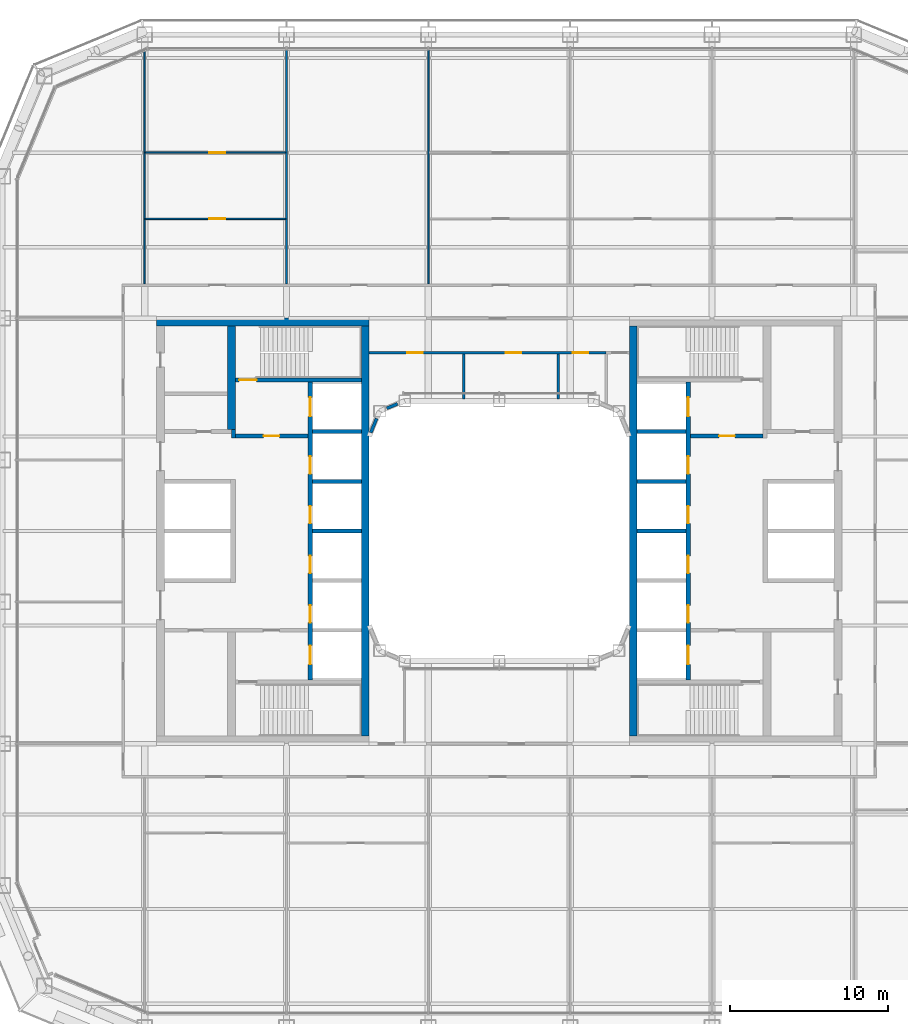
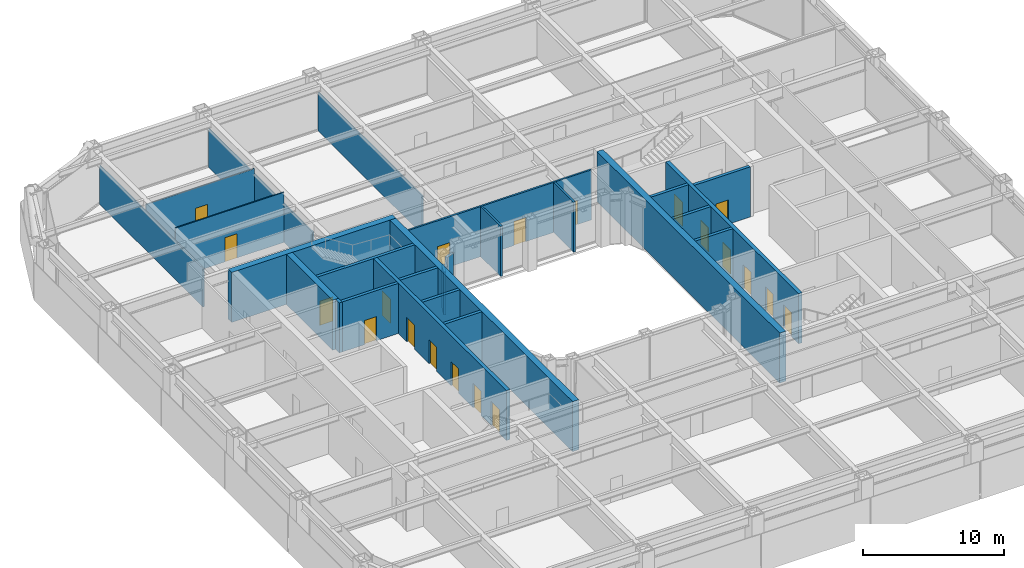
# One storey, part 15 of 27: 26 walls, 20 doors, 20 openings.
"""IFC4 building model written with IfcOpenShell, lengths in metres."""

from ifc_helpers import new_model, si_unit, direction, frame, frame_2d, origin, place, context, subcontext, project, spatial, rectangle, extrude, material, layer, layer_set, type_object, element, fill, save


model = new_model("IFC4")

# Units and contexts
model_context = context("Model", 3, precision=1e-05, world=origin(), true_north=direction((0.0, 1.0)))
body_context = subcontext(model_context, "Body", "Model", "MODEL_VIEW")
ifc_project = project(units=[si_unit("LENGTHUNIT", "METRE"), si_unit("AREAUNIT", "SQUARE_METRE"), si_unit("VOLUMEUNIT", "CUBIC_METRE"), si_unit("PLANEANGLEUNIT", "RADIAN"), si_unit("MASSUNIT", "GRAM", prefix="KILO")], contexts=[model_context])

# Site, building, storey
site_placement = place(None, origin())
site = spatial("IfcSite", under=ifc_project, at=site_placement, CompositionType="ELEMENT")
building_placement = place(site_placement, origin())
building = spatial("IfcBuilding", under=site, at=building_placement, Name="Siwar Civic Tower", CompositionType="ELEMENT")
storey_placement = place(building_placement, frame((0.0, 0.0, 53.699951171875)))
storey = spatial("IfcBuildingStorey", under=building, at=storey_placement, Name="L11", CompositionType="ELEMENT", Elevation=53.699951171875)

# Wall, opening, door
ifc_material_1 = material(Name="Concrete C60/75", Category="concrete")
ifc_layer_1 = layer(ifc_material_1, 0.25)
ifc_layer_set_1 = layer_set([ifc_layer_1], Name="Concrete C60/75")
wall_type_1 = type_object("IfcWallType", Name="CORE-WALL-RC250", PredefinedType="SHEAR", material=ifc_layer_set_1)
wall_1_placement = place(storey_placement, frame((-12.14990234375, 6.02490234375, 0.0), z_axis=(0.0, 0.0, 1.0), x_axis=(-1.0, 0.0, 0.0)))
wall_1 = element("IfcWall", 1, at=wall_1_placement, inside=storey, type_object=wall_type_1, Name="Core wall W", PredefinedType="SHEAR", context=body_context, shape_type="SweptSolid", body=[
    extrude(rectangle(XDim=4.60009765625, YDim=0.25, at=frame_2d((2.300048828125, 0.0))), origin(), (0.0, 0.0, 1.0), 4.35009765625),
])
opening_1_placement = place(wall_1_placement, frame((1.800048828125, 0.0, 0.0)))
opening_1 = element("IfcOpeningElement", 2, at=opening_1_placement, cuts=wall_1, Name="Opening L11-CW01", PredefinedType="OPENING", context=body_context, shape_type="SweptSolid", body=[
    extrude(rectangle(XDim=1.0, YDim=2.10009765625, at=frame_2d((0.5, 1.050048828125))), frame((0.0, 0.135009765625, 0.0), z_axis=(0.0, -1.0, 0.0), x_axis=(1.0, 0.0, 0.0)), (0.0, 0.0, 1.0), 0.27001953125),
])
ifc_material_2 = material(Name="Steel door leaf", Category="steel")
door_type_1 = type_object("IfcDoorType", Name="CORE-DOOR-FD30S", OperationType="SINGLE_SWING_LEFT", PredefinedType="DOOR", material=ifc_material_2)
door_1_placement = place(opening_1_placement, origin())
door_1 = element("IfcDoor", 3, at=door_1_placement, inside=storey, type_object=door_type_1, Name="Firefighting lobby door L11-CW01", OperationType="SINGLE_SWING_LEFT", OverallHeight=2.10009765625, OverallWidth=1.0, PredefinedType="DOOR", context=body_context, shape_type="SweptSolid", body=[
    extrude(rectangle(XDim=1.0, YDim=2.10009765625, at=frame_2d((0.5, 1.050048828125))), frame((0.0, 0.02490234375, 0.0), z_axis=(0.0, -1.0, 0.0), x_axis=(1.0, 0.0, 0.0)), (0.0, 0.0, 1.0), 0.050048828125),
])
fill(opening_1, door_1)

# Walls
wall_2_placement = place(storey_placement, frame((-16.875, 5.89990234375, 0.0), z_axis=(0.0, 0.0, 1.0), x_axis=(0.0, 1.0, 0.0)))
element("IfcWall", 4, at=wall_2_placement, inside=storey, type_object=wall_type_1, Name="Core wall W", PredefinedType="SHEAR", context=body_context, shape_type="SweptSolid", body=[
    extrude(rectangle(XDim=0.525146484375, YDim=0.25, at=frame_2d((0.2626953125, 0.0))), origin(), (0.0, 0.0, 1.0), 4.35009765625),
])
for number, where, z_axis, x_axis, name in (
    (5, (-8.75, 0.0, 0.0), (0.0, 0.0, 1.0), (-1.0, 0.0, 0.0), "Core wall W"),
    (6, (-8.75, 3.14990234375, 0.0), (0.0, 0.0, 1.0), (-1.0, 0.0, 0.0), "Core wall W"),
    (7, (-8.75, 6.300048828125, 0.0), (0.0, 0.0, 1.0), (-1.0, 0.0, 0.0), "Core wall W"),
):
    element("IfcWall", number, at=place(storey_placement, frame(where, z_axis=z_axis, x_axis=x_axis)), inside=storey, type_object=wall_type_1, Name=name, PredefinedType="SHEAR", context=body_context, shape_type="SweptSolid", body=[
        extrude(rectangle(XDim=3.10009765625, YDim=0.25, at=frame_2d((1.550048828125, 0.0))), origin(), (0.0, 0.0, 1.0), 4.35009765625),
    ])

# Wall, opening, door
wall_3_placement = place(storey_placement, frame((-8.75, 9.574951171875, 0.0), z_axis=(0.0, 0.0, 1.0), x_axis=(-1.0, 0.0, 0.0)))
wall_3 = element("IfcWall", 8, at=wall_3_placement, inside=storey, type_object=wall_type_1, Name="Core wall W", PredefinedType="SHEAR", context=body_context, shape_type="SweptSolid", body=[
    extrude(rectangle(XDim=8.0, YDim=0.25, at=frame_2d((4.0, 0.0))), origin(), (0.0, 0.0, 1.0), 4.35009765625),
])
opening_2_placement = place(wall_3_placement, frame((6.64990234375, 0.0, 0.0)))
opening_2 = element("IfcOpeningElement", 9, at=opening_2_placement, cuts=wall_3, Name="Opening L11-CW03", PredefinedType="OPENING", context=body_context, shape_type="SweptSolid", body=[
    extrude(rectangle(XDim=1.10009765625, YDim=2.10009765625, at=frame_2d((0.550048828125, 1.050048828125))), frame((0.0, 0.135009765625, 0.0), z_axis=(0.0, -1.0, 0.0), x_axis=(1.0, 0.0, 0.0)), (0.0, 0.0, 1.0), 0.27001953125),
])
ifc_material_3 = material(Name="Steel door leaf", Category="steel")
door_type_2 = type_object("IfcDoorType", Name="CORE-DOOR-FD60S", OperationType="SINGLE_SWING_LEFT", PredefinedType="DOOR", material=ifc_material_3)
door_2_placement = place(opening_2_placement, origin())
door_2 = element("IfcDoor", 10, at=door_2_placement, inside=storey, type_object=door_type_2, Name="Stair door L11-CW03", OperationType="SINGLE_SWING_RIGHT", OverallHeight=2.10009765625, OverallWidth=1.10009765625, PredefinedType="DOOR", context=body_context, shape_type="SweptSolid", body=[
    extrude(rectangle(XDim=1.10009765625, YDim=2.10009765625, at=frame_2d((0.550048828125, 1.050048828125))), frame((0.0, 0.02490234375, 0.0), z_axis=(0.0, -1.0, 0.0), x_axis=(1.0, 0.0, 0.0)), (0.0, 0.0, 1.0), 0.050048828125),
])
fill(opening_2, door_2)

wall_4_placement = place(storey_placement, frame((12.14990234375, 6.02490234375, 0.0), z_axis=(0.0, 0.0, 1.0), x_axis=(1.0, 0.0, 0.0)))
wall_4 = element("IfcWall", 11, at=wall_4_placement, inside=storey, type_object=wall_type_1, Name="Core wall E", PredefinedType="SHEAR", context=body_context, shape_type="SweptSolid", body=[
    extrude(rectangle(XDim=4.60009765625, YDim=0.25, at=frame_2d((2.300048828125, 0.0))), origin(), (0.0, 0.0, 1.0), 4.35009765625),
])
opening_3_placement = place(wall_4_placement, frame((1.800048828125, 0.0, 0.0)))
opening_3 = element("IfcOpeningElement", 12, at=opening_3_placement, cuts=wall_4, Name="Opening L11-CE01", PredefinedType="OPENING", context=body_context, shape_type="SweptSolid", body=[
    extrude(rectangle(XDim=1.0, YDim=2.10009765625, at=frame_2d((0.5, 1.050048828125))), frame((0.0, 0.135009765625, 0.0), z_axis=(0.0, -1.0, 0.0), x_axis=(1.0, 0.0, 0.0)), (0.0, 0.0, 1.0), 0.27001953125),
])
door_3_placement = place(opening_3_placement, origin())
door_3 = element("IfcDoor", 13, at=door_3_placement, inside=storey, type_object=door_type_1, Name="Firefighting lobby door L11-CE01", OperationType="SINGLE_SWING_RIGHT", OverallHeight=2.10009765625, OverallWidth=1.0, PredefinedType="DOOR", context=body_context, shape_type="SweptSolid", body=[
    extrude(rectangle(XDim=1.0, YDim=2.10009765625, at=frame_2d((0.5, 1.050048828125))), frame((0.0, 0.02490234375, 0.0), z_axis=(0.0, -1.0, 0.0), x_axis=(1.0, 0.0, 0.0)), (0.0, 0.0, 1.0), 0.050048828125),
])
fill(opening_3, door_3)

# Walls
for number, where, z_axis, x_axis, name in (
    (14, (8.75, 0.0, 0.0), (0.0, 0.0, 1.0), (1.0, 0.0, 0.0), "Core wall E"),
    (15, (8.75, 3.14990234375, 0.0), (0.0, 0.0, 1.0), (1.0, 0.0, 0.0), "Core wall E"),
    (16, (8.75, 6.300048828125, 0.0), (0.0, 0.0, 1.0), (1.0, 0.0, 0.0), "Core wall E"),
):
    element("IfcWall", number, at=place(storey_placement, frame(where, z_axis=z_axis, x_axis=x_axis)), inside=storey, type_object=wall_type_1, Name=name, PredefinedType="SHEAR", context=body_context, shape_type="SweptSolid", body=[
        extrude(rectangle(XDim=3.10009765625, YDim=0.25, at=frame_2d((1.550048828125, 0.0))), origin(), (0.0, 0.0, 1.0), 4.35009765625),
    ])

# Wall, openings, doors
ifc_material_4 = material(Name="Concrete C60/75", Category="concrete")
ifc_layer_2 = layer(ifc_material_4, 0.300048828125)
ifc_layer_set_2 = layer_set([ifc_layer_2], Name="Concrete C60/75")
wall_type_2 = type_object("IfcWallType", Name="CORE-WALL-RC300", PredefinedType="SHEAR", material=ifc_layer_set_2)
wall_5_placement = place(storey_placement, frame((-12.0, -9.449951171875, 0.0), z_axis=(0.0, 0.0, 1.0), x_axis=(0.0, 1.0, 0.0)))
wall_5 = element("IfcWall", 17, at=wall_5_placement, inside=storey, type_object=wall_type_2, Name="Core wall W", PredefinedType="SHEAR", context=body_context, shape_type="SweptSolid", body=[
    extrude(rectangle(XDim=18.89990234375, YDim=0.300048828125, at=frame_2d((9.449951171875, 0.0))), origin(), (0.0, 0.0, 1.0), 4.35009765625),
])
opening_4_placement = place(wall_5_placement, frame((3.625, 0.0, 0.0)))
opening_4 = element("IfcOpeningElement", 18, at=opening_4_placement, cuts=wall_5, Name="Opening L11-CW07", PredefinedType="OPENING", context=body_context, shape_type="SweptSolid", body=[
    extrude(rectangle(XDim=1.10009765625, YDim=2.10009765625, at=frame_2d((0.550048828125, 1.050048828125))), frame((0.0, 0.16015625, 0.0), z_axis=(0.0, -1.0, 0.0), x_axis=(1.0, 0.0, 0.0)), (0.0, 0.0, 1.0), 0.320068359375),
])
opening_5_placement = place(wall_5_placement, frame((6.77490234375, 0.0, 0.0)))
opening_5 = element("IfcOpeningElement", 19, at=opening_5_placement, cuts=wall_5, Name="Opening L11-CW08", PredefinedType="OPENING", context=body_context, shape_type="SweptSolid", body=[
    extrude(rectangle(XDim=1.10009765625, YDim=2.10009765625, at=frame_2d((0.550048828125, 1.050048828125))), frame((0.0, 0.16015625, 0.0), z_axis=(0.0, -1.0, 0.0), x_axis=(1.0, 0.0, 0.0)), (0.0, 0.0, 1.0), 0.320068359375),
])
opening_6_placement = place(wall_5_placement, frame((9.925048828125, 0.0, 0.0)))
opening_6 = element("IfcOpeningElement", 20, at=opening_6_placement, cuts=wall_5, Name="Opening L11-CW09", PredefinedType="OPENING", context=body_context, shape_type="SweptSolid", body=[
    extrude(rectangle(XDim=1.10009765625, YDim=2.10009765625, at=frame_2d((0.550048828125, 1.050048828125))), frame((0.0, 0.16015625, 0.0), z_axis=(0.0, -1.0, 0.0), x_axis=(1.0, 0.0, 0.0)), (0.0, 0.0, 1.0), 0.320068359375),
])
opening_7_placement = place(wall_5_placement, frame((13.074951171875, 0.0, 0.0)))
opening_7 = element("IfcOpeningElement", 21, at=opening_7_placement, cuts=wall_5, Name="Opening L11-CW10", PredefinedType="OPENING", context=body_context, shape_type="SweptSolid", body=[
    extrude(rectangle(XDim=1.10009765625, YDim=2.10009765625, at=frame_2d((0.550048828125, 1.050048828125))), frame((0.0, 0.16015625, 0.0), z_axis=(0.0, -1.0, 0.0), x_axis=(1.0, 0.0, 0.0)), (0.0, 0.0, 1.0), 0.320068359375),
])
opening_8_placement = place(wall_5_placement, frame((16.72509765625, 0.0, 0.0)))
opening_8 = element("IfcOpeningElement", 22, at=opening_8_placement, cuts=wall_5, Name="Opening L11-CW11", PredefinedType="OPENING", context=body_context, shape_type="SweptSolid", body=[
    extrude(rectangle(XDim=1.199951171875, YDim=2.10009765625, at=frame_2d((0.60009765625, 1.050048828125))), frame((0.0, 0.16015625, 0.0), z_axis=(0.0, -1.0, 0.0), x_axis=(1.0, 0.0, 0.0)), (0.0, 0.0, 1.0), 0.320068359375),
])
opening_9_placement = place(wall_5_placement, frame((0.97509765625, 0.0, 0.0)))
opening_9 = element("IfcOpeningElement", 23, at=opening_9_placement, cuts=wall_5, Name="Opening L11-CW12", PredefinedType="OPENING", context=body_context, shape_type="SweptSolid", body=[
    extrude(rectangle(XDim=1.199951171875, YDim=2.10009765625, at=frame_2d((0.60009765625, 1.050048828125))), frame((0.0, 0.16015625, 0.0), z_axis=(0.0, -1.0, 0.0), x_axis=(1.0, 0.0, 0.0)), (0.0, 0.0, 1.0), 0.320068359375),
])
ifc_material_5 = material(Name="Steel door leaf", Category="steel")
door_type_3 = type_object("IfcDoorType", Name="CORE-DOOR-LD", OperationType="DOUBLE_DOOR_SLIDING", PredefinedType="DOOR", material=ifc_material_5)
door_4_placement = place(opening_4_placement, origin())
door_4 = element("IfcDoor", 24, at=door_4_placement, inside=storey, type_object=door_type_3, Name="Landing door LR1 L11-CW07", OperationType="DOUBLE_DOOR_SLIDING", OverallHeight=2.10009765625, OverallWidth=1.10009765625, PredefinedType="DOOR", context=body_context, shape_type="SweptSolid", body=[
    extrude(rectangle(XDim=1.10009765625, YDim=2.10009765625, at=frame_2d((0.550048828125, 1.050048828125))), frame((0.0, 0.02490234375, 0.0), z_axis=(0.0, -1.0, 0.0), x_axis=(1.0, 0.0, 0.0)), (0.0, 0.0, 1.0), 0.050048828125),
])
fill(opening_4, door_4)
door_5_placement = place(opening_5_placement, origin())
door_5 = element("IfcDoor", 25, at=door_5_placement, inside=storey, type_object=door_type_3, Name="Landing door LR2 L11-CW08", OperationType="DOUBLE_DOOR_SLIDING", OverallHeight=2.10009765625, OverallWidth=1.10009765625, PredefinedType="DOOR", context=body_context, shape_type="SweptSolid", body=[
    extrude(rectangle(XDim=1.10009765625, YDim=2.10009765625, at=frame_2d((0.550048828125, 1.050048828125))), frame((0.0, 0.02490234375, 0.0), z_axis=(0.0, -1.0, 0.0), x_axis=(1.0, 0.0, 0.0)), (0.0, 0.0, 1.0), 0.050048828125),
])
fill(opening_5, door_5)
door_6_placement = place(opening_6_placement, origin())
door_6 = element("IfcDoor", 26, at=door_6_placement, inside=storey, type_object=door_type_3, Name="Landing door LR3 L11-CW09", OperationType="DOUBLE_DOOR_SLIDING", OverallHeight=2.10009765625, OverallWidth=1.10009765625, PredefinedType="DOOR", context=body_context, shape_type="SweptSolid", body=[
    extrude(rectangle(XDim=1.10009765625, YDim=2.10009765625, at=frame_2d((0.550048828125, 1.050048828125))), frame((0.0, 0.02490234375, 0.0), z_axis=(0.0, -1.0, 0.0), x_axis=(1.0, 0.0, 0.0)), (0.0, 0.0, 1.0), 0.050048828125),
])
fill(opening_6, door_6)
door_7_placement = place(opening_7_placement, origin())
door_7 = element("IfcDoor", 27, at=door_7_placement, inside=storey, type_object=door_type_3, Name="Landing door LR4 L11-CW10", OperationType="DOUBLE_DOOR_SLIDING", OverallHeight=2.10009765625, OverallWidth=1.10009765625, PredefinedType="DOOR", context=body_context, shape_type="SweptSolid", body=[
    extrude(rectangle(XDim=1.10009765625, YDim=2.10009765625, at=frame_2d((0.550048828125, 1.050048828125))), frame((0.0, 0.02490234375, 0.0), z_axis=(0.0, -1.0, 0.0), x_axis=(1.0, 0.0, 0.0)), (0.0, 0.0, 1.0), 0.050048828125),
])
fill(opening_7, door_7)
ifc_material_6 = material(Name="Steel door leaf", Category="steel")
door_type_4 = type_object("IfcDoorType", Name="CORE-DOOR-LDW", OperationType="DOUBLE_DOOR_SLIDING", PredefinedType="DOOR", material=ifc_material_6)
door_8_placement = place(opening_8_placement, origin())
door_8 = element("IfcDoor", 28, at=door_8_placement, inside=storey, type_object=door_type_4, Name="Landing door FF1 L11-CW11", OperationType="DOUBLE_DOOR_SLIDING", OverallHeight=2.10009765625, OverallWidth=1.199951171875, PredefinedType="DOOR", context=body_context, shape_type="SweptSolid", body=[
    extrude(rectangle(XDim=1.199951171875, YDim=2.10009765625, at=frame_2d((0.60009765625, 1.050048828125))), frame((0.0, 0.02490234375, 0.0), z_axis=(0.0, -1.0, 0.0), x_axis=(1.0, 0.0, 0.0)), (0.0, 0.0, 1.0), 0.050048828125),
])
fill(opening_8, door_8)
door_9_placement = place(opening_9_placement, origin())
door_9 = element("IfcDoor", 29, at=door_9_placement, inside=storey, type_object=door_type_4, Name="Landing door SV1 L11-CW12", OperationType="DOUBLE_DOOR_SLIDING", OverallHeight=2.10009765625, OverallWidth=1.199951171875, PredefinedType="DOOR", context=body_context, shape_type="SweptSolid", body=[
    extrude(rectangle(XDim=1.199951171875, YDim=2.10009765625, at=frame_2d((0.60009765625, 1.050048828125))), frame((0.0, 0.02490234375, 0.0), z_axis=(0.0, -1.0, 0.0), x_axis=(1.0, 0.0, 0.0)), (0.0, 0.0, 1.0), 0.050048828125),
])
fill(opening_9, door_9)

wall_6_placement = place(storey_placement, frame((12.0, -9.449951171875, 0.0), z_axis=(0.0, 0.0, 1.0), x_axis=(0.0, 1.0, 0.0)))
wall_6 = element("IfcWall", 30, at=wall_6_placement, inside=storey, type_object=wall_type_2, Name="Core wall E", PredefinedType="SHEAR", context=body_context, shape_type="SweptSolid", body=[
    extrude(rectangle(XDim=18.89990234375, YDim=0.300048828125, at=frame_2d((9.449951171875, 0.0))), origin(), (0.0, 0.0, 1.0), 4.35009765625),
])
opening_10_placement = place(wall_6_placement, frame((3.625, 0.0, 0.0)))
opening_10 = element("IfcOpeningElement", 31, at=opening_10_placement, cuts=wall_6, Name="Opening L11-CE07", PredefinedType="OPENING", context=body_context, shape_type="SweptSolid", body=[
    extrude(rectangle(XDim=1.10009765625, YDim=2.10009765625, at=frame_2d((0.550048828125, 1.050048828125))), frame((0.0, 0.16015625, 0.0), z_axis=(0.0, -1.0, 0.0), x_axis=(1.0, 0.0, 0.0)), (0.0, 0.0, 1.0), 0.320068359375),
])
opening_11_placement = place(wall_6_placement, frame((6.77490234375, 0.0, 0.0)))
opening_11 = element("IfcOpeningElement", 32, at=opening_11_placement, cuts=wall_6, Name="Opening L11-CE08", PredefinedType="OPENING", context=body_context, shape_type="SweptSolid", body=[
    extrude(rectangle(XDim=1.10009765625, YDim=2.10009765625, at=frame_2d((0.550048828125, 1.050048828125))), frame((0.0, 0.16015625, 0.0), z_axis=(0.0, -1.0, 0.0), x_axis=(1.0, 0.0, 0.0)), (0.0, 0.0, 1.0), 0.320068359375),
])
opening_12_placement = place(wall_6_placement, frame((9.925048828125, 0.0, 0.0)))
opening_12 = element("IfcOpeningElement", 33, at=opening_12_placement, cuts=wall_6, Name="Opening L11-CE09", PredefinedType="OPENING", context=body_context, shape_type="SweptSolid", body=[
    extrude(rectangle(XDim=1.10009765625, YDim=2.10009765625, at=frame_2d((0.550048828125, 1.050048828125))), frame((0.0, 0.16015625, 0.0), z_axis=(0.0, -1.0, 0.0), x_axis=(1.0, 0.0, 0.0)), (0.0, 0.0, 1.0), 0.320068359375),
])
opening_13_placement = place(wall_6_placement, frame((13.074951171875, 0.0, 0.0)))
opening_13 = element("IfcOpeningElement", 34, at=opening_13_placement, cuts=wall_6, Name="Opening L11-CE10", PredefinedType="OPENING", context=body_context, shape_type="SweptSolid", body=[
    extrude(rectangle(XDim=1.10009765625, YDim=2.10009765625, at=frame_2d((0.550048828125, 1.050048828125))), frame((0.0, 0.16015625, 0.0), z_axis=(0.0, -1.0, 0.0), x_axis=(1.0, 0.0, 0.0)), (0.0, 0.0, 1.0), 0.320068359375),
])
opening_14_placement = place(wall_6_placement, frame((16.72509765625, 0.0, 0.0)))
opening_14 = element("IfcOpeningElement", 35, at=opening_14_placement, cuts=wall_6, Name="Opening L11-CE11", PredefinedType="OPENING", context=body_context, shape_type="SweptSolid", body=[
    extrude(rectangle(XDim=1.199951171875, YDim=2.10009765625, at=frame_2d((0.60009765625, 1.050048828125))), frame((0.0, 0.16015625, 0.0), z_axis=(0.0, -1.0, 0.0), x_axis=(1.0, 0.0, 0.0)), (0.0, 0.0, 1.0), 0.320068359375),
])
opening_15_placement = place(wall_6_placement, frame((0.97509765625, 0.0, 0.0)))
opening_15 = element("IfcOpeningElement", 36, at=opening_15_placement, cuts=wall_6, Name="Opening L11-CE12", PredefinedType="OPENING", context=body_context, shape_type="SweptSolid", body=[
    extrude(rectangle(XDim=1.199951171875, YDim=2.10009765625, at=frame_2d((0.60009765625, 1.050048828125))), frame((0.0, 0.16015625, 0.0), z_axis=(0.0, -1.0, 0.0), x_axis=(1.0, 0.0, 0.0)), (0.0, 0.0, 1.0), 0.320068359375),
])
door_10_placement = place(opening_10_placement, origin())
door_10 = element("IfcDoor", 37, at=door_10_placement, inside=storey, type_object=door_type_3, Name="Landing door LR5 L11-CE07", OperationType="DOUBLE_DOOR_SLIDING", OverallHeight=2.10009765625, OverallWidth=1.10009765625, PredefinedType="DOOR", context=body_context, shape_type="SweptSolid", body=[
    extrude(rectangle(XDim=1.10009765625, YDim=2.10009765625, at=frame_2d((0.550048828125, 1.050048828125))), frame((0.0, 0.02490234375, 0.0), z_axis=(0.0, -1.0, 0.0), x_axis=(1.0, 0.0, 0.0)), (0.0, 0.0, 1.0), 0.050048828125),
])
fill(opening_10, door_10)
door_11_placement = place(opening_11_placement, origin())
door_11 = element("IfcDoor", 38, at=door_11_placement, inside=storey, type_object=door_type_3, Name="Landing door LR6 L11-CE08", OperationType="DOUBLE_DOOR_SLIDING", OverallHeight=2.10009765625, OverallWidth=1.10009765625, PredefinedType="DOOR", context=body_context, shape_type="SweptSolid", body=[
    extrude(rectangle(XDim=1.10009765625, YDim=2.10009765625, at=frame_2d((0.550048828125, 1.050048828125))), frame((0.0, 0.02490234375, 0.0), z_axis=(0.0, -1.0, 0.0), x_axis=(1.0, 0.0, 0.0)), (0.0, 0.0, 1.0), 0.050048828125),
])
fill(opening_11, door_11)
door_12_placement = place(opening_12_placement, origin())
door_12 = element("IfcDoor", 39, at=door_12_placement, inside=storey, type_object=door_type_3, Name="Landing door LR7 L11-CE09", OperationType="DOUBLE_DOOR_SLIDING", OverallHeight=2.10009765625, OverallWidth=1.10009765625, PredefinedType="DOOR", context=body_context, shape_type="SweptSolid", body=[
    extrude(rectangle(XDim=1.10009765625, YDim=2.10009765625, at=frame_2d((0.550048828125, 1.050048828125))), frame((0.0, 0.02490234375, 0.0), z_axis=(0.0, -1.0, 0.0), x_axis=(1.0, 0.0, 0.0)), (0.0, 0.0, 1.0), 0.050048828125),
])
fill(opening_12, door_12)
door_13_placement = place(opening_13_placement, origin())
door_13 = element("IfcDoor", 40, at=door_13_placement, inside=storey, type_object=door_type_3, Name="Landing door LR8 L11-CE10", OperationType="DOUBLE_DOOR_SLIDING", OverallHeight=2.10009765625, OverallWidth=1.10009765625, PredefinedType="DOOR", context=body_context, shape_type="SweptSolid", body=[
    extrude(rectangle(XDim=1.10009765625, YDim=2.10009765625, at=frame_2d((0.550048828125, 1.050048828125))), frame((0.0, 0.02490234375, 0.0), z_axis=(0.0, -1.0, 0.0), x_axis=(1.0, 0.0, 0.0)), (0.0, 0.0, 1.0), 0.050048828125),
])
fill(opening_13, door_13)
door_14_placement = place(opening_14_placement, origin())
door_14 = element("IfcDoor", 41, at=door_14_placement, inside=storey, type_object=door_type_4, Name="Landing door FF2 L11-CE11", OperationType="DOUBLE_DOOR_SLIDING", OverallHeight=2.10009765625, OverallWidth=1.199951171875, PredefinedType="DOOR", context=body_context, shape_type="SweptSolid", body=[
    extrude(rectangle(XDim=1.199951171875, YDim=2.10009765625, at=frame_2d((0.60009765625, 1.050048828125))), frame((0.0, 0.02490234375, 0.0), z_axis=(0.0, -1.0, 0.0), x_axis=(1.0, 0.0, 0.0)), (0.0, 0.0, 1.0), 0.050048828125),
])
fill(opening_14, door_14)
door_15_placement = place(opening_15_placement, origin())
door_15 = element("IfcDoor", 42, at=door_15_placement, inside=storey, type_object=door_type_4, Name="Landing door SV2 L11-CE12", OperationType="DOUBLE_DOOR_SLIDING", OverallHeight=2.10009765625, OverallWidth=1.199951171875, PredefinedType="DOOR", context=body_context, shape_type="SweptSolid", body=[
    extrude(rectangle(XDim=1.199951171875, YDim=2.10009765625, at=frame_2d((0.60009765625, 1.050048828125))), frame((0.0, 0.02490234375, 0.0), z_axis=(0.0, -1.0, 0.0), x_axis=(1.0, 0.0, 0.0)), (0.0, 0.0, 1.0), 0.050048828125),
])
fill(opening_15, door_15)

# Walls
ifc_material_7 = material(Name="Concrete C60/75", Category="concrete")
ifc_layer_3 = layer(ifc_material_7, 0.5)
ifc_layer_set_3 = layer_set([ifc_layer_3], Name="Concrete C60/75")
wall_type_3 = type_object("IfcWallType", Name="CORE-WALL-RC500", PredefinedType="SHEAR", material=ifc_layer_set_3)
wall_7_placement = place(storey_placement, frame((-17.0, 6.425048828125, 0.0), z_axis=(0.0, 0.0, 1.0), x_axis=(0.0, 1.0, 0.0)))
element("IfcWall", 43, at=wall_7_placement, inside=storey, type_object=wall_type_3, Name="Core wall W", PredefinedType="SHEAR", context=body_context, shape_type="SweptSolid", body=[
    extrude(rectangle(XDim=6.574951171875, YDim=0.5, at=frame_2d((3.28759765625, 0.0))), origin(), (0.0, 0.0, 1.0), 4.35009765625),
])
wall_8_placement = place(storey_placement, frame((-8.25, 13.25, 0.0), z_axis=(0.0, 0.0, 1.0), x_axis=(-1.0, 0.0, 0.0)))
element("IfcWall", 44, at=wall_8_placement, inside=storey, type_object=wall_type_3, Name="Core wall W", PredefinedType="SHEAR", context=body_context, shape_type="SweptSolid", body=[
    extrude(rectangle(XDim=13.5, YDim=0.5, at=frame_2d((6.75, 0.0))), origin(), (0.0, 0.0, 1.0), 4.35009765625),
])
ifc_material_8 = material(Name="Concrete C60/75", Category="concrete")
ifc_layer_4 = layer(ifc_material_8, 0.5)
ifc_layer_set_4 = layer_set([ifc_layer_4], Name="Concrete C60/75")
wall_type_4 = type_object("IfcWallType", Name="CORE-WALL-RC500-EXT", PredefinedType="SHEAR", material=ifc_layer_set_4)
for number, where, z_axis, x_axis, name in (
    (45, (-8.5, -13.0, 0.0), (0.0, 0.0, 1.0), (0.0, 1.0, 0.0), "Core wall W"),
    (46, (8.5, -13.0, 0.0), (0.0, 0.0, 1.0), (0.0, 1.0, 0.0), "Core wall E"),
):
    element("IfcWall", number, at=place(storey_placement, frame(where, z_axis=z_axis, x_axis=x_axis)), inside=storey, type_object=wall_type_4, Name=name, PredefinedType="SHEAR", context=body_context, shape_type="SweptSolid", body=[
        extrude(rectangle(XDim=26.0, YDim=0.5, at=frame_2d((13.0, 0.0))), origin(), (0.0, 0.0, 1.0), 4.35009765625),
    ])

# Wall, openings, doors
ifc_material_9 = material(Name="Gypsum board on steel studs", Category="steel")
ifc_layer_5 = layer(ifc_material_9, 0.14990234375)
ifc_layer_set_5 = layer_set([ifc_layer_5], Name="Gypsum board on steel studs")
wall_type_5 = type_object("IfcWallType", Name="CORRIDOR PARTITION 150 EI 30", PredefinedType="PARTITIONING", material=ifc_layer_set_5)
wall_9_placement = place(storey_placement, frame((-8.25, 11.300048828125, 0.0), z_axis=(0.0, 0.0, 1.0), x_axis=(1.0, 0.0, 0.0)))
wall_9 = element("IfcWall", 47, at=wall_9_placement, inside=storey, type_object=wall_type_5, Name="L11/wall/P13", PredefinedType="PARTITIONING", context=body_context, shape_type="SweptSolid", body=[
    extrude(rectangle(XDim=15.030029296875, YDim=0.14990234375, at=frame_2d((7.51513671875, 0.0))), origin(), (0.0, 0.0, 1.0), 4.35009765625),
])
opening_16_placement = place(wall_9_placement, frame((2.39990234375, 0.0, 0.0)))
opening_16 = element("IfcOpeningElement", 48, at=opening_16_placement, cuts=wall_9, Name="Opening D3", PredefinedType="OPENING", context=body_context, shape_type="SweptSolid", body=[
    extrude(rectangle(XDim=1.0, YDim=2.10009765625, at=frame_2d((0.5, 1.050048828125))), frame((0.0, 0.0849609375, 0.0), z_axis=(0.0, -1.0, 0.0), x_axis=(1.0, 0.0, 0.0)), (0.0, 0.0, 1.0), 0.169921875),
])
opening_17_placement = place(wall_9_placement, frame((8.64990234375, 0.0, 0.0)))
opening_17 = element("IfcOpeningElement", 49, at=opening_17_placement, cuts=wall_9, Name="Opening D3", PredefinedType="OPENING", context=body_context, shape_type="SweptSolid", body=[
    extrude(rectangle(XDim=1.0, YDim=2.10009765625, at=frame_2d((0.5, 1.050048828125))), frame((0.0, 0.0849609375, 0.0), z_axis=(0.0, -1.0, 0.0), x_axis=(1.0, 0.0, 0.0)), (0.0, 0.0, 1.0), 0.169921875),
])
opening_18_placement = place(wall_9_placement, frame((12.89990234375, 0.0, 0.0)))
opening_18 = element("IfcOpeningElement", 50, at=opening_18_placement, cuts=wall_9, Name="Opening D3", PredefinedType="OPENING", context=body_context, shape_type="SweptSolid", body=[
    extrude(rectangle(XDim=1.0, YDim=2.10009765625, at=frame_2d((0.5, 1.050048828125))), frame((0.0, 0.0849609375, 0.0), z_axis=(0.0, -1.0, 0.0), x_axis=(1.0, 0.0, 0.0)), (0.0, 0.0, 1.0), 0.169921875),
])
ifc_material_10 = material(Name="Timber, painted", Category="wood")
door_type_5 = type_object("IfcDoorType", Name="DOOR 1000 X 2100 WC", OperationType="SINGLE_SWING_LEFT", PredefinedType="DOOR", material=ifc_material_10)
door_16_placement = place(opening_16_placement, origin())
door_16 = element("IfcDoor", 51, at=door_16_placement, inside=storey, type_object=door_type_5, Name="L11-D33", OperationType="SINGLE_SWING_LEFT", OverallHeight=2.10009765625, OverallWidth=1.0, PredefinedType="DOOR", context=body_context, shape_type="SweptSolid", body=[
    extrude(rectangle(XDim=1.0, YDim=2.10009765625, at=frame_2d((0.5, 1.050048828125))), frame((0.0, 0.02490234375, 0.0), z_axis=(0.0, -1.0, 0.0), x_axis=(1.0, 0.0, 0.0)), (0.0, 0.0, 1.0), 0.050048828125),
])
fill(opening_16, door_16)
door_17_placement = place(opening_17_placement, origin())
door_17 = element("IfcDoor", 52, at=door_17_placement, inside=storey, type_object=door_type_5, Name="L11-D34", OperationType="SINGLE_SWING_RIGHT", OverallHeight=2.10009765625, OverallWidth=1.0, PredefinedType="DOOR", context=body_context, shape_type="SweptSolid", body=[
    extrude(rectangle(XDim=1.0, YDim=2.10009765625, at=frame_2d((0.5, 1.050048828125))), frame((0.0, 0.02490234375, 0.0), z_axis=(0.0, -1.0, 0.0), x_axis=(1.0, 0.0, 0.0)), (0.0, 0.0, 1.0), 0.050048828125),
])
fill(opening_17, door_17)
door_18_placement = place(opening_18_placement, origin())
door_18 = element("IfcDoor", 53, at=door_18_placement, inside=storey, type_object=door_type_5, Name="L11-D35", OperationType="SINGLE_SWING_LEFT", OverallHeight=2.10009765625, OverallWidth=1.0, PredefinedType="DOOR", context=body_context, shape_type="SweptSolid", body=[
    extrude(rectangle(XDim=1.0, YDim=2.10009765625, at=frame_2d((0.5, 1.050048828125))), frame((0.0, 0.02490234375, 0.0), z_axis=(0.0, -1.0, 0.0), x_axis=(1.0, 0.0, 0.0)), (0.0, 0.0, 1.0), 0.050048828125),
])
fill(opening_18, door_18)

# Walls
for number, where, z_axis, x_axis, name in (
    (54, (-2.25, 8.3701171875, 0.0), (0.0, 0.0, 1.0), (0.0, 1.0, 0.0), "L11/wall/P32"),
    (55, (3.75, 8.3701171875, 0.0), (0.0, 0.0, 1.0), (0.0, 1.0, 0.0), "L11/wall/P33"),
):
    element("IfcWall", number, at=place(storey_placement, frame(where, z_axis=z_axis, x_axis=x_axis)), inside=storey, type_object=wall_type_5, Name=name, PredefinedType="PARTITIONING", context=body_context, shape_type="SweptSolid", body=[
        extrude(rectangle(XDim=2.85498046875, YDim=0.14990234375, at=frame_2d((1.427490234375, 0.0))), origin(), (0.0, 0.0, 1.0), 4.35009765625),
    ])
ifc_material_11 = material(Name="Aluminium clad insulated panel", Category="aluminium")
ifc_layer_6 = layer(ifc_material_11, 0.199951171875)
ifc_layer_set_6 = layer_set([ifc_layer_6], Name="Aluminium clad insulated panel")
wall_type_6 = type_object("IfcWallType", Name="ENV-WALL-WELL", PredefinedType="STANDARD", material=ifc_layer_set_6)
wall_10_placement = place(storey_placement, frame((-6.45263671875, 8.0625, 0.0), z_axis=(0.0, 0.0, 1.0), x_axis=(-0.923940677943, -0.382535780864, 0.0)))
element("IfcWall", 56, at=wall_10_placement, inside=storey, type_object=wall_type_6, Name="Light well corner wall NW1", PredefinedType="STANDARD", context=body_context, shape_type="SweptSolid", body=[
    extrude(rectangle(XDim=0.7421875, YDim=0.199951171875, at=frame_2d((0.37109375, 0.0))), origin(), (0.0, 0.0, 1.0), 3.72998046875),
])
wall_11_placement = place(storey_placement, frame((-7.778564453125, 7.138427734375, 0.0), z_axis=(0.0, 0.0, 1.0), x_axis=(-0.382549378284, -0.923935048136, 0.0)))
element("IfcWall", 57, at=wall_11_placement, inside=storey, type_object=wall_type_6, Name="Light well corner wall NW2", PredefinedType="STANDARD", context=body_context, shape_type="SweptSolid", body=[
    extrude(rectangle(XDim=0.982177734375, YDim=0.199951171875, at=frame_2d((0.4912109375, 0.0))), origin(), (0.0, 0.0, 1.0), 3.72998046875),
])

# Wall, opening, door
ifc_material_12 = material(Name="Gypsum board on steel studs", Category="steel")
ifc_layer_7 = layer(ifc_material_12, 0.10009765625)
ifc_layer_set_7 = layer_set([ifc_layer_7], Name="Gypsum board on steel studs")
wall_type_7 = type_object("IfcWallType", Name="PARTITION 100 GYPSUM", PredefinedType="PARTITIONING", material=ifc_layer_set_7)
wall_12_placement = place(storey_placement, frame((-22.449951171875, 19.800048828125, 0.0), z_axis=(0.0, 0.0, 1.0), x_axis=(1.0, 0.0, 0.0)))
wall_12 = element("IfcWall", 58, at=wall_12_placement, inside=storey, type_object=wall_type_7, Name="L11/wall/P20", PredefinedType="PARTITIONING", context=body_context, shape_type="SweptSolid", body=[
    extrude(rectangle(XDim=8.89990234375, YDim=0.10009765625, at=frame_2d((4.449951171875, 0.0))), origin(), (0.0, 0.0, 1.0), 4.35009765625),
])
opening_19_placement = place(wall_12_placement, frame((4.050048828125, 0.0, 0.0)))
opening_19 = element("IfcOpeningElement", 59, at=opening_19_placement, cuts=wall_12, Name="Opening D2", PredefinedType="OPENING", context=body_context, shape_type="SweptSolid", body=[
    extrude(rectangle(XDim=1.0, YDim=2.10009765625, at=frame_2d((0.5, 1.050048828125))), frame((0.0, 0.06005859375, 0.0), z_axis=(0.0, -1.0, 0.0), x_axis=(1.0, 0.0, 0.0)), (0.0, 0.0, 1.0), 0.1201171875),
])
ifc_material_13 = material(Name="Timber, painted", Category="wood")
door_type_6 = type_object("IfcDoorType", Name="DOOR 1000 X 2100", OperationType="SINGLE_SWING_LEFT", PredefinedType="DOOR", material=ifc_material_13)
door_19_placement = place(opening_19_placement, origin())
door_19 = element("IfcDoor", 60, at=door_19_placement, inside=storey, type_object=door_type_6, Name="L11-D02", OperationType="SINGLE_SWING_RIGHT", OverallHeight=2.10009765625, OverallWidth=1.0, PredefinedType="DOOR", context=body_context, shape_type="SweptSolid", body=[
    extrude(rectangle(XDim=1.0, YDim=2.10009765625, at=frame_2d((0.5, 1.050048828125))), frame((0.0, 0.02490234375, 0.0), z_axis=(0.0, -1.0, 0.0), x_axis=(1.0, 0.0, 0.0)), (0.0, 0.0, 1.0), 0.050048828125),
])
fill(opening_19, door_19)

wall_13_placement = place(storey_placement, frame((-22.449951171875, 24.0, 0.0), z_axis=(0.0, 0.0, 1.0), x_axis=(1.0, 0.0, 0.0)))
wall_13 = element("IfcWall", 61, at=wall_13_placement, inside=storey, type_object=wall_type_7, Name="L11/wall/P22", PredefinedType="PARTITIONING", context=body_context, shape_type="SweptSolid", body=[
    extrude(rectangle(XDim=8.89990234375, YDim=0.10009765625, at=frame_2d((4.449951171875, 0.0))), origin(), (0.0, 0.0, 1.0), 3.85009765625),
])
opening_20_placement = place(wall_13_placement, frame((4.050048828125, 0.0, 0.0)))
opening_20 = element("IfcOpeningElement", 62, at=opening_20_placement, cuts=wall_13, Name="Opening D2", PredefinedType="OPENING", context=body_context, shape_type="SweptSolid", body=[
    extrude(rectangle(XDim=1.0, YDim=2.10009765625, at=frame_2d((0.5, 1.050048828125))), frame((0.0, 0.06005859375, 0.0), z_axis=(0.0, -1.0, 0.0), x_axis=(1.0, 0.0, 0.0)), (0.0, 0.0, 1.0), 0.1201171875),
])
door_20_placement = place(opening_20_placement, origin())
door_20 = element("IfcDoor", 63, at=door_20_placement, inside=storey, type_object=door_type_6, Name="L11-D03", OperationType="SINGLE_SWING_LEFT", OverallHeight=2.10009765625, OverallWidth=1.0, PredefinedType="DOOR", context=body_context, shape_type="SweptSolid", body=[
    extrude(rectangle(XDim=1.0, YDim=2.10009765625, at=frame_2d((0.5, 1.050048828125))), frame((0.0, 0.02490234375, 0.0), z_axis=(0.0, -1.0, 0.0), x_axis=(1.0, 0.0, 0.0)), (0.0, 0.0, 1.0), 0.050048828125),
])
fill(opening_20, door_20)

# Walls
wall_14_placement = place(storey_placement, frame((-22.5, 15.675048828125, 0.0), z_axis=(0.0, 0.0, 1.0), x_axis=(0.0, 1.0, 0.0)))
element("IfcWall", 64, at=wall_14_placement, inside=storey, type_object=wall_type_7, Name="L11/wall/P26", PredefinedType="PARTITIONING", context=body_context, shape_type="SweptSolid", body=[
    extrude(rectangle(XDim=14.7529296875, YDim=0.10009765625, at=frame_2d((7.37646484375, 0.0))), origin(), (0.0, 0.0, 1.0), 3.35009765625),
])
for number, where, z_axis, x_axis, name in (
    (65, (-13.5, 15.675048828125, 0.0), (0.0, 0.0, 1.0), (0.0, 1.0, 0.0), "L11/wall/P28"),
    (66, (-4.5, 15.675048828125, 0.0), (0.0, 0.0, 1.0), (0.0, 1.0, 0.0), "L11/wall/P31"),
):
    element("IfcWall", number, at=place(storey_placement, frame(where, z_axis=z_axis, x_axis=x_axis)), inside=storey, type_object=wall_type_7, Name=name, PredefinedType="PARTITIONING", context=body_context, shape_type="SweptSolid", body=[
        extrude(rectangle(XDim=14.8349609375, YDim=0.10009765625, at=frame_2d((7.41748046875, 0.0))), origin(), (0.0, 0.0, 1.0), 3.35009765625),
    ])

save(model, "model.ifc")
